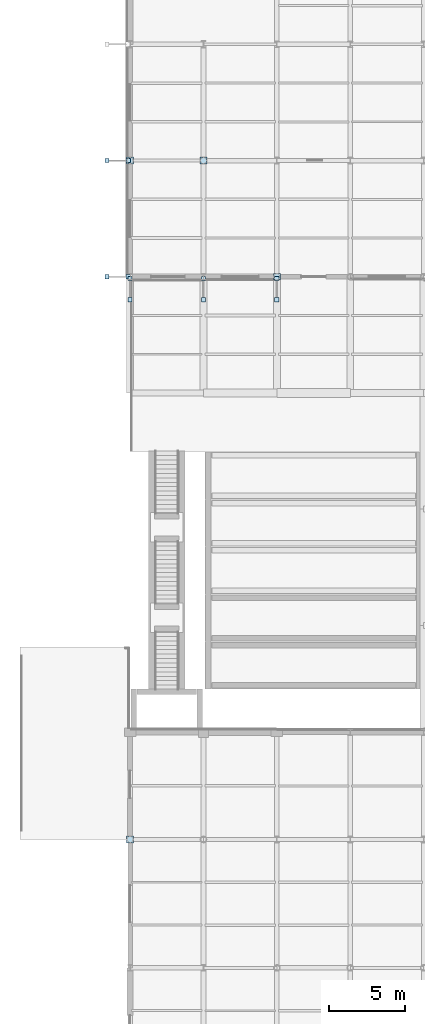
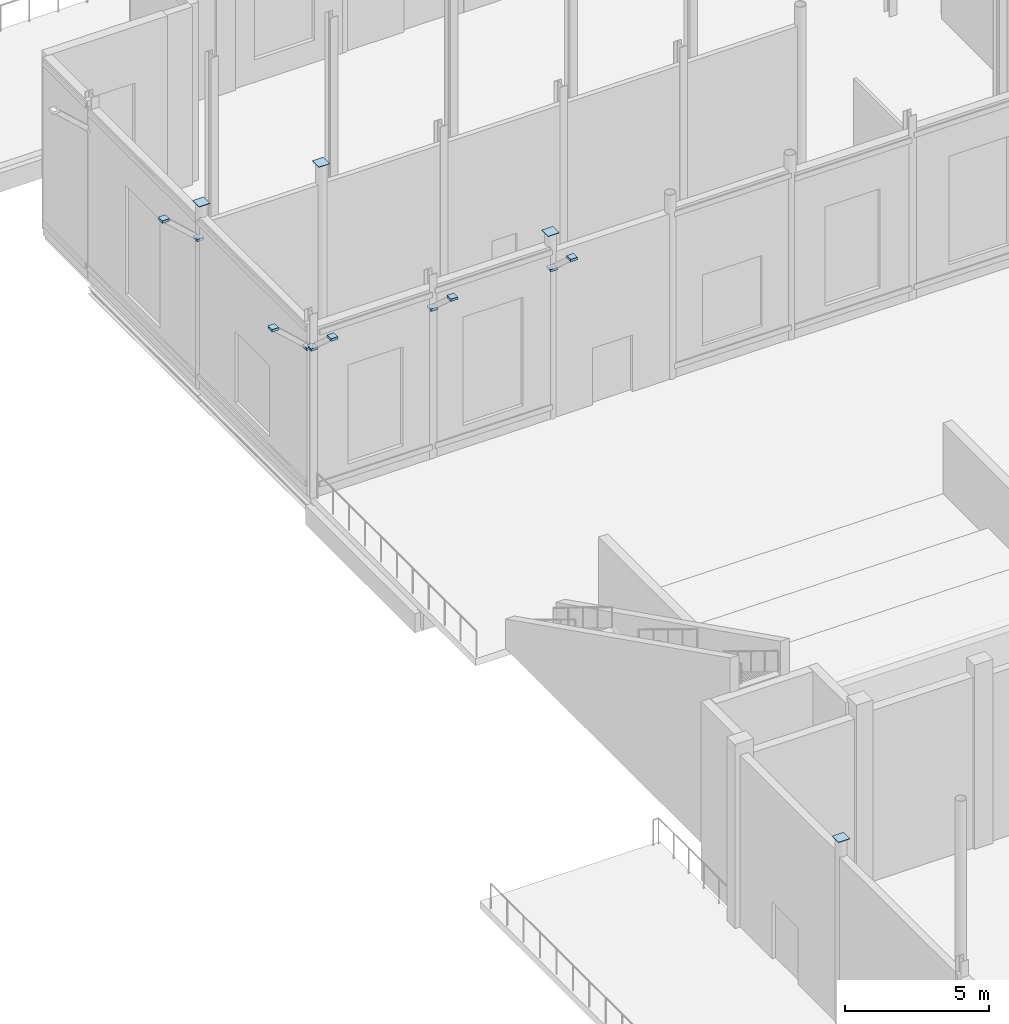
# One storey, part 129 of 176: 14 plates.
"""IFC4 building model written with IfcOpenShell, lengths in metres."""

from ifc_helpers import new_model, si_unit, direction, frame, origin, origin_2d, place, context, subcontext, project, spatial, rectangle, extrude, material, layer, layer_set, type_object, element, save


model = new_model("IFC4")

# Units and contexts
model_context = context("Model", 3, precision=1e-05, world=origin(), true_north=direction((0.0, 1.0)))
body_context = subcontext(model_context, "Body", "Model", "MODEL_VIEW")
ifc_project = project(units=[si_unit("LENGTHUNIT", "METRE"), si_unit("AREAUNIT", "SQUARE_METRE"), si_unit("VOLUMEUNIT", "CUBIC_METRE"), si_unit("PLANEANGLEUNIT", "RADIAN"), si_unit("MASSUNIT", "GRAM", prefix="KILO")], contexts=[model_context])

# Site, building, storey
site_placement = place(None, origin())
site = spatial("IfcSite", under=ifc_project, at=site_placement, CompositionType="ELEMENT")
building_placement = place(site_placement, origin())
building = spatial("IfcBuilding", under=site, at=building_placement, Name="Vekula Escarpment Museum", CompositionType="ELEMENT")
storey_placement = place(building_placement, origin())
storey = spatial("IfcBuildingStorey", under=building, at=storey_placement, Name="L01", CompositionType="ELEMENT", Elevation=0.0)

# Plates
ifc_material_1 = material(Name="Steel S355", Category="steel")
ifc_layer_1 = layer(ifc_material_1, 0.01611328125)
ifc_layer_set_1 = layer_set([ifc_layer_1], Name="Steel S355")
plate_type_1 = type_object("IfcPlateType", Name="PL-CAP-16", PredefinedType="SHEET", material=ifc_layer_set_1)
for number, where, z_axis, x_axis, name in (
    (1, (-0.11474609375, 113.199951171875, 6.294189453125), (0.0, 0.0, 1.0), (1.0, 0.0, 0.0), "Hollow section end cap CP-16"),
    (2, (-1.50537109375, 113.199951171875, 7.563720703125), (0.0, 0.0, 1.0), (1.0, 0.0, 0.0), "Hollow section end cap CP-16"),
    (3, (0.0, 113.085205078125, 6.294189453125), (0.0, 0.0, 1.0), (1.0, 0.0, 0.0), "Hollow section end cap CP-16"),
    (4, (0.0, 111.694580078125, 7.563720703125), (0.0, 0.0, 1.0), (1.0, 0.0, 0.0), "Hollow section end cap CP-16"),
    (5, (-0.11474609375, 120.800048828125, 6.294189453125), (0.0, 0.0, 1.0), (1.0, 0.0, 0.0), "Hollow section end cap CP-16"),
    (6, (-1.50537109375, 120.800048828125, 7.563720703125), (0.0, 0.0, 1.0), (1.0, 0.0, 0.0), "Hollow section end cap CP-16"),
    (7, (4.800048828125, 113.085205078125, 6.294189453125), (0.0, 0.0, 1.0), (1.0, 0.0, 0.0), "Hollow section end cap CP-16"),
    (8, (4.800048828125, 111.694580078125, 7.563720703125), (0.0, 0.0, 1.0), (1.0, 0.0, 0.0), "Hollow section end cap CP-16"),
    (9, (9.60009765625, 113.085205078125, 6.294189453125), (0.0, 0.0, 1.0), (1.0, 0.0, 0.0), "Hollow section end cap CP-16"),
    (10, (9.60009765625, 111.694580078125, 7.563720703125), (0.0, 0.0, 1.0), (1.0, 0.0, 0.0), "Hollow section end cap CP-16"),
):
    element("IfcPlate", number, at=place(storey_placement, frame(where, z_axis=z_axis, x_axis=x_axis)), inside=storey, type_object=plate_type_1, Name=name, PredefinedType="SHEET", context=body_context, shape_type="SweptSolid", body=[
        extrude(rectangle(XDim=0.280029296875, YDim=0.280029296875, at=origin_2d()), origin(), (0.0, 0.0, 1.0), 0.10205078125),
    ])
ifc_material_2 = material(Name="Steel S355", Category="steel")
ifc_layer_2 = layer(ifc_material_2, 0.02001953125)
ifc_layer_set_2 = layer_set([ifc_layer_2], Name="Steel S355")
plate_type_2 = type_object("IfcPlateType", Name="PL-CAP-20", PredefinedType="SHEET", material=ifc_layer_set_2)
for number, where, z_axis, x_axis, name in (
    (11, (0.0, 76.39990234375, 7.798095703125), (0.0, 0.0, 1.0), (1.0, 0.0, 0.0), "Hollow section end cap CP-20"),
    (12, (0.0, 120.800048828125, 7.798095703125), (0.0, 0.0, 1.0), (1.0, 0.0, 0.0), "Hollow section end cap CP-20"),
    (13, (4.800048828125, 120.800048828125, 7.798095703125), (0.0, 0.0, 1.0), (1.0, 0.0, 0.0), "Hollow section end cap CP-20"),
    (14, (9.60009765625, 113.199951171875, 7.798095703125), (0.0, 0.0, 1.0), (1.0, 0.0, 0.0), "Hollow section end cap CP-20"),
):
    element("IfcPlate", number, at=place(storey_placement, frame(where, z_axis=z_axis, x_axis=x_axis)), inside=storey, type_object=plate_type_2, Name=name, PredefinedType="SHEET", context=body_context, shape_type="SweptSolid", body=[
        extrude(rectangle(XDim=0.4462890625, YDim=0.4462890625, at=origin_2d()), origin(), (0.0, 0.0, 1.0), 0.02001953125),
    ])

save(model, "model.ifc")
